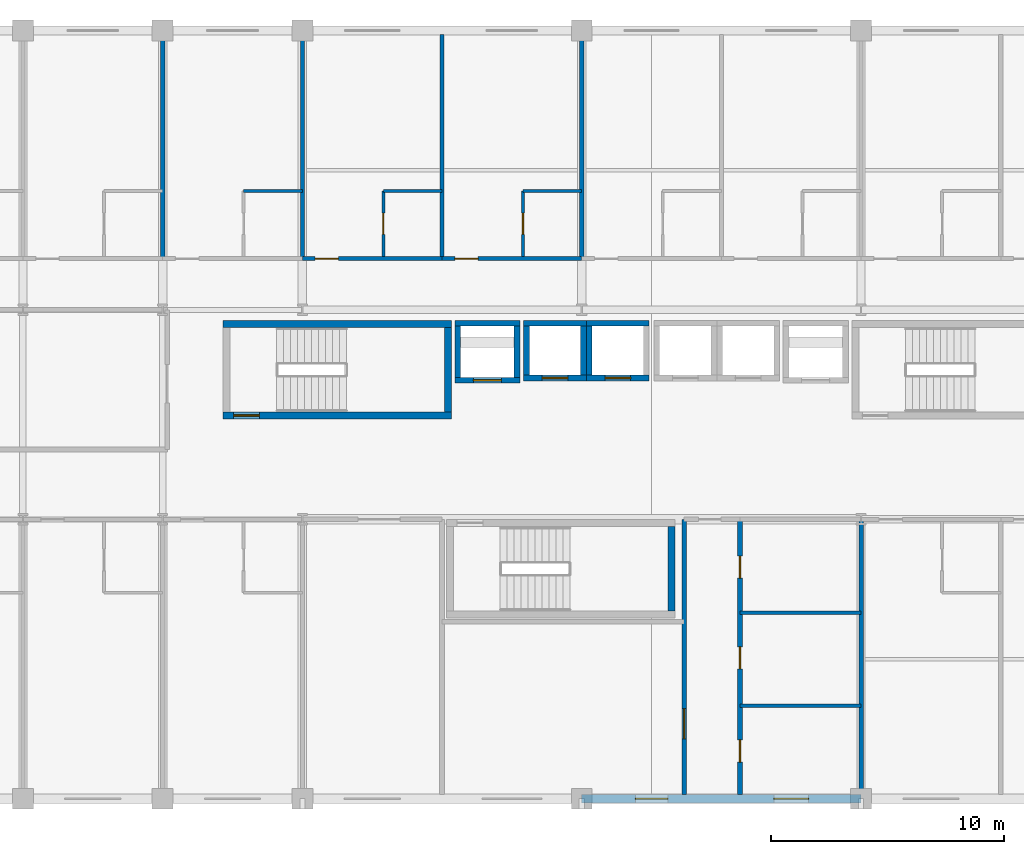
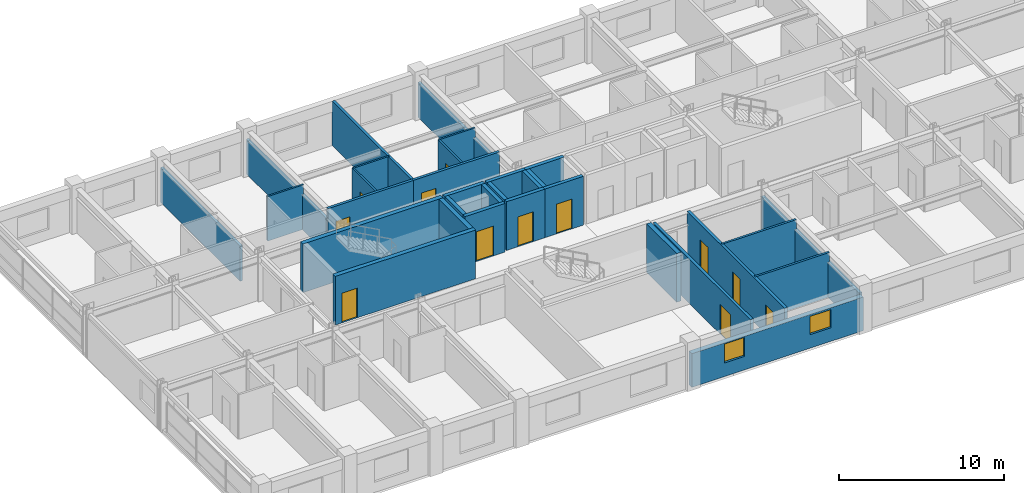
# One storey, part 17 of 22: 32 walls, 12 doors, 2 windows, 14 openings.
"""IFC4 building model written with IfcOpenShell, lengths in metres."""

from ifc_helpers import new_model, si_unit, direction, frame, frame_2d, origin, place, context, subcontext, project, spatial, rectangle, extrude, material, layer, layer_set, type_object, element, fill, save


model = new_model("IFC4")

# Units and contexts
model_context = context("Model", 3, precision=1e-05, world=origin(), true_north=direction((0.0, 1.0)))
body_context = subcontext(model_context, "Body", "Model", "MODEL_VIEW")
ifc_project = project(units=[si_unit("LENGTHUNIT", "METRE"), si_unit("AREAUNIT", "SQUARE_METRE"), si_unit("VOLUMEUNIT", "CUBIC_METRE"), si_unit("PLANEANGLEUNIT", "RADIAN"), si_unit("MASSUNIT", "GRAM", prefix="KILO")], contexts=[model_context])

# Site, building, storey
site_placement = place(None, origin())
site = spatial("IfcSite", under=ifc_project, at=site_placement, CompositionType="ELEMENT")
building_placement = place(site_placement, origin())
building = spatial("IfcBuilding", under=site, at=building_placement, Name="Kaldorvane Square Convention Centre", CompositionType="ELEMENT")
storey_placement = place(building_placement, frame((0.0, 0.0, 31.199996948242188)))
storey = spatial("IfcBuildingStorey", under=building, at=storey_placement, Name="L06", CompositionType="ELEMENT", Elevation=31.199996948242188)

# Wall
ifc_material_1 = material(Name="Fire-Rated Gypsum Board on Acoustic Steel Studs", Category="steel")
ifc_layer_1 = layer(ifc_material_1, 0.125)
ifc_layer_set_1 = layer_set([ifc_layer_1], Name="Fire-Rated Gypsum Board on Acoustic Steel Studs")
wall_type_1 = type_object("IfcWallType", Name="WL-BATH-125", PredefinedType="PARTITIONING", material=ifc_layer_set_1)
wall_1_placement = place(storey_placement, frame((39.47999572753906, 110.10000610351562, 0.0), z_axis=(0.0, 0.0, 1.0), x_axis=(1.0, 0.0, 0.0)))
element("IfcWall", 1, at=wall_1_placement, inside=storey, type_object=wall_type_1, Name="En-Suite 603 North Wall", PredefinedType="PARTITIONING", context=body_context, shape_type="SweptSolid", body=[
    extrude(rectangle(XDim=2.5200042724609375, YDim=0.125, at=frame_2d((1.260009765625, 0.0))), origin(), (0.0, 0.0, 1.0), 3.290008544921875),
])

# Wall, opening, door
wall_2_placement = place(storey_placement, frame((45.47999572753906, 107.28999328613281, 0.0), z_axis=(0.0, 0.0, 1.0), x_axis=(0.0, 1.0, 0.0)))
wall_2 = element("IfcWall", 2, at=wall_2_placement, inside=storey, type_object=wall_type_1, Name="En-Suite 604 West Wall", PredefinedType="PARTITIONING", context=body_context, shape_type="SweptSolid", body=[
    extrude(rectangle(XDim=2.8100128173828125, YDim=0.125, at=frame_2d((1.404998779296875, 0.0))), origin(), (0.0, 0.0, 1.0), 3.290008544921875),
])
opening_1_placement = place(wall_2_placement, frame((0.9499969482421875, 0.0, 0.0)))
opening_1 = element("IfcOpeningElement", 3, at=opening_1_placement, cuts=wall_2, Name="Opening ID-12", PredefinedType="OPENING", context=body_context, shape_type="SweptSolid", body=[
    extrude(rectangle(XDim=0.9199981689453125, YDim=2.100006103515625, at=frame_2d((0.459991455078125, 1.0500030517578125))), frame((0.0, 0.0774993896484375, 0.0), z_axis=(0.0, -1.0, 0.0), x_axis=(1.0, 0.0, 0.0)), (0.0, 0.0, 1.0), 0.154998779296875),
])
ifc_material_2 = material(Name="Architectural Solid-Core White Oak")
door_type_1 = type_object("IfcDoorType", Name="DR-BATH-0920X2100", OperationType="SINGLE_SWING_RIGHT", PredefinedType="DOOR", material=ifc_material_2)
door_1_placement = place(opening_1_placement, origin())
door_1 = element("IfcDoor", 4, at=door_1_placement, inside=storey, type_object=door_type_1, Name="En-Suite Bathroom 604 Door", OperationType="SINGLE_SWING_RIGHT", OverallHeight=2.100006103515625, OverallWidth=0.9199981689453125, PredefinedType="DOOR", context=body_context, shape_type="SweptSolid", body=[
    extrude(rectangle(XDim=0.9199981689453125, YDim=2.100006103515625, at=frame_2d((0.459991455078125, 1.0500030517578125))), frame((0.0, 0.024993896484375, 0.0), z_axis=(0.0, -1.0, 0.0), x_axis=(1.0, 0.0, 0.0)), (0.0, 0.0, 1.0), 0.0500030517578125),
])
fill(opening_1, door_1)

# Wall
wall_3_placement = place(storey_placement, frame((45.47999572753906, 110.10000610351562, 0.0), z_axis=(0.0, 0.0, 1.0), x_axis=(1.0, 0.0, 0.0)))
element("IfcWall", 5, at=wall_3_placement, inside=storey, type_object=wall_type_1, Name="En-Suite 604 North Wall", PredefinedType="PARTITIONING", context=body_context, shape_type="SweptSolid", body=[
    extrude(rectangle(XDim=2.5200042724609375, YDim=0.125, at=frame_2d((1.260009765625, 0.0))), origin(), (0.0, 0.0, 1.0), 3.290008544921875),
])

# Wall, opening, door
wall_4_placement = place(storey_placement, frame((51.47999572753906, 107.28999328613281, 0.0), z_axis=(0.0, 0.0, 1.0), x_axis=(0.0, 1.0, 0.0)))
wall_4 = element("IfcWall", 6, at=wall_4_placement, inside=storey, type_object=wall_type_1, Name="En-Suite 605 West Wall", PredefinedType="PARTITIONING", context=body_context, shape_type="SweptSolid", body=[
    extrude(rectangle(XDim=2.8100128173828125, YDim=0.125, at=frame_2d((1.404998779296875, 0.0))), origin(), (0.0, 0.0, 1.0), 3.290008544921875),
])
opening_2_placement = place(wall_4_placement, frame((0.9499969482421875, 0.0, 0.0)))
opening_2 = element("IfcOpeningElement", 7, at=opening_2_placement, cuts=wall_4, Name="Opening ID-12", PredefinedType="OPENING", context=body_context, shape_type="SweptSolid", body=[
    extrude(rectangle(XDim=0.9199981689453125, YDim=2.100006103515625, at=frame_2d((0.459991455078125, 1.0500030517578125))), frame((0.0, 0.0774993896484375, 0.0), z_axis=(0.0, -1.0, 0.0), x_axis=(1.0, 0.0, 0.0)), (0.0, 0.0, 1.0), 0.154998779296875),
])
door_2_placement = place(opening_2_placement, origin())
door_2 = element("IfcDoor", 8, at=door_2_placement, inside=storey, type_object=door_type_1, Name="En-Suite Bathroom 605 Door", OperationType="SINGLE_SWING_RIGHT", OverallHeight=2.100006103515625, OverallWidth=0.9199981689453125, PredefinedType="DOOR", context=body_context, shape_type="SweptSolid", body=[
    extrude(rectangle(XDim=0.9199981689453125, YDim=2.100006103515625, at=frame_2d((0.459991455078125, 1.0500030517578125))), frame((0.0, 0.024993896484375, 0.0), z_axis=(0.0, -1.0, 0.0), x_axis=(1.0, 0.0, 0.0)), (0.0, 0.0, 1.0), 0.0500030517578125),
])
fill(opening_2, door_2)

# Wall
wall_5_placement = place(storey_placement, frame((51.47999572753906, 110.10000610351562, 0.0), z_axis=(0.0, 0.0, 1.0), x_axis=(1.0, 0.0, 0.0)))
element("IfcWall", 9, at=wall_5_placement, inside=storey, type_object=wall_type_1, Name="En-Suite 605 North Wall", PredefinedType="PARTITIONING", context=body_context, shape_type="SweptSolid", body=[
    extrude(rectangle(XDim=2.5200042724609375, YDim=0.125, at=frame_2d((1.260009765625, 0.0))), origin(), (0.0, 0.0, 1.0), 3.290008544921875),
])

# Wall, opening, door
ifc_layer_2 = layer(ifc_material_1, 0.1999969482421875)
ifc_layer_set_2 = layer_set([ifc_layer_2], Name="Fire-Rated Gypsum Board on Acoustic Steel Studs")
wall_type_2 = type_object("IfcWallType", Name="WL-CORR-200", PredefinedType="PARTITIONING", material=ifc_layer_set_2)
wall_6_placement = place(storey_placement, frame((58.399993896484375, 84.17500305175781, 0.0), z_axis=(0.0, 0.0, 1.0), x_axis=(0.0, 1.0, 0.0)))
wall_6 = element("IfcWall", 10, at=wall_6_placement, inside=storey, type_object=wall_type_2, Name="Restroom Vestibule West Wall (L06)", PredefinedType="PARTITIONING", context=body_context, shape_type="SweptSolid", body=[
    extrude(rectangle(XDim=11.824996948242188, YDim=0.1999969482421875, at=frame_2d((5.912506103515625, 0.0))), origin(), (0.0, 0.0, 1.0), 3.290008544921875),
])
opening_3_placement = place(wall_6_placement, frame((2.399993896484375, 0.0, 0.0)))
opening_3 = element("IfcOpeningElement", 11, at=opening_3_placement, cuts=wall_6, Name="Opening ID-09", PredefinedType="OPENING", context=body_context, shape_type="SweptSolid", body=[
    extrude(rectangle(XDim=1.3000030517578125, YDim=2.1999969482421875, at=frame_2d((0.649993896484375, 1.100006103515625))), frame((0.0, 0.114990234375, 0.0), z_axis=(0.0, -1.0, 0.0), x_axis=(1.0, 0.0, 0.0)), (0.0, 0.0, 1.0), 0.2299957275390625),
])
ifc_material_3 = material(Name="Insulated Hollow Metal Steel", Category="steel")
door_type_2 = type_object("IfcDoorType", Name="DR-SVC-1300X2200", OperationType="DOUBLE_DOOR_SINGLE_SWING", PredefinedType="DOOR", material=ifc_material_3)
door_3_placement = place(opening_3_placement, origin())
door_3 = element("IfcDoor", 12, at=door_3_placement, inside=storey, type_object=door_type_2, Name="Housekeeping and Linen Room (L06) Door", OperationType="DOUBLE_DOOR_SINGLE_SWING", OverallHeight=2.1999969482421875, OverallWidth=1.3000030517578125, PredefinedType="DOOR", context=body_context, shape_type="SweptSolid", body=[
    extrude(rectangle(XDim=1.3000030517578125, YDim=2.1999969482421875, at=frame_2d((0.649993896484375, 1.100006103515625))), frame((0.0, 0.024993896484375, 0.0), z_axis=(0.0, -1.0, 0.0), x_axis=(1.0, 0.0, 0.0)), (0.0, 0.0, 1.0), 0.0500030517578125),
])
fill(opening_3, door_3)

# Wall, openings, doors
wall_7_placement = place(storey_placement, frame((60.80000305175781, 84.17500305175781, 0.0), z_axis=(0.0, 0.0, 1.0), x_axis=(0.0, 1.0, 0.0)))
wall_7 = element("IfcWall", 13, at=wall_7_placement, inside=storey, type_object=wall_type_2, Name="Restroom Vestibule East Wall (L06)", PredefinedType="PARTITIONING", context=body_context, shape_type="SweptSolid", body=[
    extrude(rectangle(XDim=11.824996948242188, YDim=0.1999969482421875, at=frame_2d((5.912506103515625, 0.0))), origin(), (0.0, 0.0, 1.0), 3.290008544921875),
])
opening_4_placement = place(wall_7_placement, frame((1.399993896484375, 0.0, 0.0)))
opening_4 = element("IfcOpeningElement", 14, at=opening_4_placement, cuts=wall_7, Name="Opening ID-13", PredefinedType="OPENING", context=body_context, shape_type="SweptSolid", body=[
    extrude(rectangle(XDim=0.9499969482421875, YDim=2.149993896484375, at=frame_2d((0.475006103515625, 1.0749969482421875))), frame((0.0, 0.114990234375, 0.0), z_axis=(0.0, -1.0, 0.0), x_axis=(1.0, 0.0, 0.0)), (0.0, 0.0, 1.0), 0.2299957275390625),
])
opening_5_placement = place(wall_7_placement, frame((5.399993896484375, 0.0, 0.0)))
opening_5 = element("IfcOpeningElement", 15, at=opening_5_placement, cuts=wall_7, Name="Opening ID-13", PredefinedType="OPENING", context=body_context, shape_type="SweptSolid", body=[
    extrude(rectangle(XDim=0.9499969482421875, YDim=2.149993896484375, at=frame_2d((0.475006103515625, 1.0749969482421875))), frame((0.0, 0.114990234375, 0.0), z_axis=(0.0, -1.0, 0.0), x_axis=(1.0, 0.0, 0.0)), (0.0, 0.0, 1.0), 0.2299957275390625),
])
opening_6_placement = place(wall_7_placement, frame((9.300003051757812, 0.0, 0.0)))
opening_6 = element("IfcOpeningElement", 16, at=opening_6_placement, cuts=wall_7, Name="Opening ID-13", PredefinedType="OPENING", context=body_context, shape_type="SweptSolid", body=[
    extrude(rectangle(XDim=0.9499969482421875, YDim=2.149993896484375, at=frame_2d((0.475006103515625, 1.0749969482421875))), frame((0.0, 0.114990234375, 0.0), z_axis=(0.0, -1.0, 0.0), x_axis=(1.0, 0.0, 0.0)), (0.0, 0.0, 1.0), 0.2299957275390625),
])
door_type_3 = type_object("IfcDoorType", Name="DR-WC-0950X2150", OperationType="SINGLE_SWING_LEFT", PredefinedType="DOOR", material=ifc_material_2)
door_4_placement = place(opening_4_placement, origin())
door_4 = element("IfcDoor", 17, at=door_4_placement, inside=storey, type_object=door_type_3, Name="Accessible Restroom Door (L06)", OperationType="SINGLE_SWING_LEFT", OverallHeight=2.149993896484375, OverallWidth=0.9499969482421875, PredefinedType="DOOR", context=body_context, shape_type="SweptSolid", body=[
    extrude(rectangle(XDim=0.9499969482421875, YDim=2.149993896484375, at=frame_2d((0.475006103515625, 1.0749969482421875))), frame((0.0, 0.024993896484375, 0.0), z_axis=(0.0, -1.0, 0.0), x_axis=(1.0, 0.0, 0.0)), (0.0, 0.0, 1.0), 0.0500030517578125),
])
fill(opening_4, door_4)
door_5_placement = place(opening_5_placement, origin())
door_5 = element("IfcDoor", 18, at=door_5_placement, inside=storey, type_object=door_type_3, Name="Men's Restroom Door (L06)", OperationType="SINGLE_SWING_LEFT", OverallHeight=2.149993896484375, OverallWidth=0.9499969482421875, PredefinedType="DOOR", context=body_context, shape_type="SweptSolid", body=[
    extrude(rectangle(XDim=0.9499969482421875, YDim=2.149993896484375, at=frame_2d((0.475006103515625, 1.0749969482421875))), frame((0.0, 0.024993896484375, 0.0), z_axis=(0.0, -1.0, 0.0), x_axis=(1.0, 0.0, 0.0)), (0.0, 0.0, 1.0), 0.0500030517578125),
])
fill(opening_5, door_5)
door_6_placement = place(opening_6_placement, origin())
door_6 = element("IfcDoor", 19, at=door_6_placement, inside=storey, type_object=door_type_3, Name="Women's Restroom Door (L06)", OperationType="SINGLE_SWING_LEFT", OverallHeight=2.149993896484375, OverallWidth=0.9499969482421875, PredefinedType="DOOR", context=body_context, shape_type="SweptSolid", body=[
    extrude(rectangle(XDim=0.9499969482421875, YDim=2.149993896484375, at=frame_2d((0.475006103515625, 1.0749969482421875))), frame((0.0, 0.024993896484375, 0.0), z_axis=(0.0, -1.0, 0.0), x_axis=(1.0, 0.0, 0.0)), (0.0, 0.0, 1.0), 0.0500030517578125),
])
fill(opening_6, door_6)

# Wall
wall_8_placement = place(storey_placement, frame((66.0, 84.17500305175781, 0.0), z_axis=(0.0, 0.0, 1.0), x_axis=(0.0, 1.0, 0.0)))
element("IfcWall", 20, at=wall_8_placement, inside=storey, type_object=wall_type_2, Name="Restroom East Wall (L06)", PredefinedType="PARTITIONING", context=body_context, shape_type="SweptSolid", body=[
    extrude(rectangle(XDim=11.824996948242188, YDim=0.1999969482421875, at=frame_2d((5.912506103515625, 0.0))), origin(), (0.0, 0.0, 1.0), 2.589996337890625),
])

# Wall, openings, windows
ifc_material_4 = material(Name="Concrete f'c = 42 MPa (Normalweight)", Category="concrete")
ifc_layer_3 = layer(ifc_material_4, 0.350006103515625)
ifc_layer_set_3 = layer_set([ifc_layer_3], Name="Concrete f'c = 42 MPa (Normalweight)")
wall_type_3 = type_object("IfcWallType", Name="WL-EXT-350", PredefinedType="STANDARD", material=ifc_layer_set_3)
wall_9_placement = place(storey_placement, frame((54.0, 84.0, 0.0), z_axis=(0.0, 0.0, 1.0), x_axis=(1.0, 0.0, 0.0)))
wall_9 = element("IfcWall", 21, at=wall_9_placement, inside=storey, type_object=wall_type_3, Name="Hotel S Brutalist Facade Wall (L06)", PredefinedType="STANDARD", context=body_context, shape_type="SweptSolid", body=[
    extrude(rectangle(XDim=12.0, YDim=0.350006103515625, at=frame_2d((6.0, 0.0))), origin(), (0.0, 0.0, 1.0), 2.4860076904296875),
])
opening_7_placement = place(wall_9_placement, frame((2.3000030517578125, 0.0, 1.0)))
opening_7 = element("IfcOpeningElement", 22, at=opening_7_placement, cuts=wall_9, Name="Opening W-13", PredefinedType="OPENING", context=body_context, shape_type="SweptSolid", body=[
    extrude(rectangle(XDim=1.399993896484375, YDim=1.399993896484375, at=frame_2d((0.6999969482421875, 0.6999969482421875))), frame((0.0, 0.19000244140625, 0.0), z_axis=(0.0, -1.0, 0.0), x_axis=(1.0, 0.0, 0.0)), (0.0, 0.0, 1.0), 0.3800048828125),
])
opening_8_placement = place(wall_9_placement, frame((8.25, 0.0, 1.0)))
opening_8 = element("IfcOpeningElement", 23, at=opening_8_placement, cuts=wall_9, Name="Opening W-14", PredefinedType="OPENING", context=body_context, shape_type="SweptSolid", body=[
    extrude(rectangle(XDim=1.5, YDim=1.350006103515625, at=frame_2d((0.75, 0.6750030517578125))), frame((0.0, 0.19000244140625, 0.0), z_axis=(0.0, -1.0, 0.0), x_axis=(1.0, 0.0, 0.0)), (0.0, 0.0, 1.0), 0.3800048828125),
])
ifc_material_5 = material(Name="Anodized Aluminum and Low-E Insulated Glazing", Category="aluminium")
window_type_1 = type_object("IfcWindowType", Name="WN-HTL-1400X1400", PartitioningType="SINGLE_PANEL", PredefinedType="WINDOW", material=ifc_material_5)
window_1_placement = place(opening_7_placement, origin())
window_1 = element("IfcWindow", 24, at=window_1_placement, inside=storey, type_object=window_type_1, Name="Hotel S Window (L06)", OverallHeight=1.399993896484375, OverallWidth=1.399993896484375, PartitioningType="SINGLE_PANEL", PredefinedType="WINDOW", context=body_context, shape_type="SweptSolid", body=[
    extrude(rectangle(XDim=1.399993896484375, YDim=1.399993896484375, at=frame_2d((0.6999969482421875, 0.6999969482421875))), frame((0.0, 0.029998779296875, 0.0), z_axis=(0.0, -1.0, 0.0), x_axis=(1.0, 0.0, 0.0)), (0.0, 0.0, 1.0), 0.05999755859375),
])
fill(opening_7, window_1)
window_type_2 = type_object("IfcWindowType", Name="WN-HTL-1500X1350", PartitioningType="SINGLE_PANEL", PredefinedType="WINDOW", material=ifc_material_5)
window_2_placement = place(opening_8_placement, origin())
window_2 = element("IfcWindow", 25, at=window_2_placement, inside=storey, type_object=window_type_2, Name="Hotel S Window (L06)", OverallHeight=1.350006103515625, OverallWidth=1.5, PartitioningType="SINGLE_PANEL", PredefinedType="WINDOW", context=body_context, shape_type="SweptSolid", body=[
    extrude(rectangle(XDim=1.5, YDim=1.350006103515625, at=frame_2d((0.75, 0.6750030517578125))), frame((0.0, 0.029998779296875, 0.0), z_axis=(0.0, -1.0, 0.0), x_axis=(1.0, 0.0, 0.0)), (0.0, 0.0, 1.0), 0.05999755859375),
])
fill(opening_8, window_2)

# Walls
ifc_layer_4 = layer(ifc_material_1, 0.149993896484375)
ifc_layer_set_4 = layer_set([ifc_layer_4], Name="Fire-Rated Gypsum Board on Acoustic Steel Studs")
wall_type_4 = type_object("IfcWallType", Name="WL-PART-150", PredefinedType="PARTITIONING", material=ifc_layer_set_4)
for number, where, z_axis, x_axis, name in (
    (26, (60.80000305175781, 88.0, 0.0), (0.0, 0.0, 1.0), (1.0, 0.0, 0.0), "Restroom Partition 1 (L06)"),
    (27, (60.80000305175781, 92.0, 0.0), (0.0, 0.0, 1.0), (1.0, 0.0, 0.0), "Restroom Partition 2 (L06)"),
):
    element("IfcWall", number, at=place(storey_placement, frame(where, z_axis=z_axis, x_axis=x_axis)), inside=storey, type_object=wall_type_4, Name=name, PredefinedType="PARTITIONING", context=body_context, shape_type="SweptSolid", body=[
        extrude(rectangle(XDim=5.1999969482421875, YDim=0.149993896484375, at=frame_2d((2.600006103515625, 0.0))), origin(), (0.0, 0.0, 1.0), 3.290008544921875),
    ])

# Wall, opening, door
ifc_material_6 = material(Name="Concrete f'c = 55 MPa (Normalweight)", Category="concrete")
ifc_layer_5 = layer(ifc_material_6, 0.3000030517578125)
ifc_layer_set_5 = layer_set([ifc_layer_5], Name="Concrete f'c = 55 MPa (Normalweight)")
wall_type_5 = type_object("IfcWallType", Name="WL-SHAFT-300", PredefinedType="SHEAR", material=ifc_layer_set_5)
wall_10_placement = place(storey_placement, frame((38.600006103515625, 100.46000671386719, 0.0), z_axis=(0.0, 0.0, 1.0), x_axis=(1.0, 0.0, 0.0)))
wall_10 = element("IfcWall", 28, at=wall_10_placement, inside=storey, type_object=wall_type_5, Name="Core Enclosure Wall stair:ST-T1-S (L06)", PredefinedType="SHEAR", context=body_context, shape_type="SweptSolid", body=[
    extrude(rectangle(XDim=9.79998779296875, YDim=0.3000030517578125, at=frame_2d((4.899993896484375, 0.0))), origin(), (0.0, 0.0, 1.0), 3.600006103515625),
])
opening_9_placement = place(wall_10_placement, frame((0.4499969482421875, 0.0, 0.0)))
opening_9 = element("IfcOpeningElement", 29, at=opening_9_placement, cuts=wall_10, Name="Opening FD90-S1", PredefinedType="OPENING", context=body_context, shape_type="SweptSolid", body=[
    extrude(rectangle(XDim=1.100006103515625, YDim=2.1999969482421875, at=frame_2d((0.5500030517578125, 1.100006103515625))), frame((0.0, 0.165008544921875, 0.0), z_axis=(0.0, -1.0, 0.0), x_axis=(1.0, 0.0, 0.0)), (0.0, 0.0, 1.0), 0.3300018310546875),
])
ifc_material_7 = material(Name="Fire-Rated Hollow Metal Steel", Category="steel")
door_type_4 = type_object("IfcDoorType", Name="DR-STAIR-1100", OperationType="SINGLE_SWING_RIGHT", PredefinedType="DOOR", material=ifc_material_7)
door_7_placement = place(opening_9_placement, origin())
door_7 = element("IfcDoor", 30, at=door_7_placement, inside=storey, type_object=door_type_4, Name="Tower Exit Stair T1 Fire Door (L06)", OperationType="SINGLE_SWING_RIGHT", OverallHeight=2.1999969482421875, OverallWidth=1.100006103515625, PredefinedType="DOOR", context=body_context, shape_type="SweptSolid", body=[
    extrude(rectangle(XDim=1.100006103515625, YDim=2.1999969482421875, at=frame_2d((0.5500030517578125, 1.100006103515625))), frame((0.0, 0.024993896484375, 0.0), z_axis=(0.0, -1.0, 0.0), x_axis=(1.0, 0.0, 0.0)), (0.0, 0.0, 1.0), 0.0500030517578125),
])
fill(opening_9, door_7)

# Walls
wall_11_placement = place(storey_placement, frame((48.399993896484375, 104.39999389648438, 0.0), z_axis=(0.0, 0.0, 1.0), x_axis=(-1.0, 0.0, 0.0)))
element("IfcWall", 31, at=wall_11_placement, inside=storey, type_object=wall_type_5, Name="Core Enclosure Wall stair:ST-T1-N (L06)", PredefinedType="SHEAR", context=body_context, shape_type="SweptSolid", body=[
    extrude(rectangle(XDim=9.79998779296875, YDim=0.3000030517578125, at=frame_2d((4.899993896484375, 0.0))), origin(), (0.0, 0.0, 1.0), 3.600006103515625),
])
for number, where, z_axis, x_axis, name in (
    (32, (48.25, 100.61000061035156, 0.0), (0.0, 0.0, 1.0), (0.0, 1.0, 0.0), "Core Enclosure Wall stair:ST-T1-E (L06)"),
    (33, (57.850006103515625, 92.05999755859375, 0.0), (0.0, 0.0, 1.0), (0.0, 1.0, 0.0), "Core Enclosure Wall stair:ST-T3-E (L06)"),
):
    element("IfcWall", number, at=place(storey_placement, frame(where, z_axis=z_axis, x_axis=x_axis)), inside=storey, type_object=wall_type_5, Name=name, PredefinedType="SHEAR", context=body_context, shape_type="SweptSolid", body=[
        extrude(rectangle(XDim=3.6399993896484375, YDim=0.3000030517578125, at=frame_2d((1.82000732421875, 0.0))), origin(), (0.0, 0.0, 1.0), 3.600006103515625),
    ])

# Wall, opening, door
wall_12_placement = place(storey_placement, frame((48.55000305175781, 101.97500610351562, 0.0), z_axis=(0.0, 0.0, 1.0), x_axis=(1.0, 0.0, 0.0)))
wall_12 = element("IfcWall", 34, at=wall_12_placement, inside=storey, type_object=wall_type_5, Name="Core Enclosure Wall lift:FSAE-01-S (L06)", PredefinedType="SHEAR", context=body_context, shape_type="SweptSolid", body=[
    extrude(rectangle(XDim=2.8000030517578125, YDim=0.25, at=frame_2d((1.399993896484375, 0.0))), origin(), (0.0, 0.0, 1.0), 3.600006103515625),
])
opening_10_placement = place(wall_12_placement, frame((0.8000030517578125, 0.0, 0.0)))
opening_10 = element("IfcOpeningElement", 35, at=opening_10_placement, cuts=wall_12, Name="Opening LD-02", PredefinedType="OPENING", context=body_context, shape_type="SweptSolid", body=[
    extrude(rectangle(XDim=1.1999969482421875, YDim=2.1999969482421875, at=frame_2d((0.600006103515625, 1.100006103515625))), frame((0.0, 0.1399993896484375, 0.0), z_axis=(0.0, -1.0, 0.0), x_axis=(1.0, 0.0, 0.0)), (0.0, 0.0, 1.0), 0.279998779296875),
])
ifc_material_8 = material(Name="Stainless Steel Elevator Door Assembly", Category="steel")
door_type_5 = type_object("IfcDoorType", Name="DR-LIFT-1200", OperationType="DOUBLE_DOOR_SLIDING", PredefinedType="DOOR", material=ifc_material_8)
door_8_placement = place(opening_10_placement, origin())
door_8 = element("IfcDoor", 36, at=door_8_placement, inside=storey, type_object=door_type_5, Name="Elevator Landing Door FSAE-01 (L06)", OperationType="DOUBLE_DOOR_SLIDING", OverallHeight=2.1999969482421875, OverallWidth=1.1999969482421875, PredefinedType="DOOR", context=body_context, shape_type="SweptSolid", body=[
    extrude(rectangle(XDim=1.1999969482421875, YDim=2.1999969482421875, at=frame_2d((0.600006103515625, 1.100006103515625))), frame((0.0, 0.024993896484375, 0.0), z_axis=(0.0, -1.0, 0.0), x_axis=(1.0, 0.0, 0.0)), (0.0, 0.0, 1.0), 0.0500030517578125),
])
fill(opening_10, door_8)

# Walls
wall_13_placement = place(storey_placement, frame((51.350006103515625, 104.42500305175781, 0.0), z_axis=(0.0, 0.0, 1.0), x_axis=(-1.0, 0.0, 0.0)))
element("IfcWall", 37, at=wall_13_placement, inside=storey, type_object=wall_type_5, Name="Core Enclosure Wall lift:FSAE-01-N (L06)", PredefinedType="SHEAR", context=body_context, shape_type="SweptSolid", body=[
    extrude(rectangle(XDim=2.8000030517578125, YDim=0.25, at=frame_2d((1.399993896484375, 0.0))), origin(), (0.0, 0.0, 1.0), 3.600006103515625),
])
for number, where, z_axis, x_axis, name in (
    (38, (48.67500305175781, 104.30000305175781, 0.0), (0.0, 0.0, 1.0), (0.0, -1.0, 0.0), "Core Enclosure Wall lift:FSAE-01-W (L06)"),
    (39, (51.225006103515625, 102.10000610351562, 0.0), (0.0, 0.0, 1.0), (0.0, 1.0, 0.0), "Core Enclosure Wall lift:FSAE-01-E (L06)"),
):
    element("IfcWall", number, at=place(storey_placement, frame(where, z_axis=z_axis, x_axis=x_axis)), inside=storey, type_object=wall_type_5, Name=name, PredefinedType="SHEAR", context=body_context, shape_type="SweptSolid", body=[
        extrude(rectangle(XDim=2.1999969482421875, YDim=0.25, at=frame_2d((1.100006103515625, 0.0))), origin(), (0.0, 0.0, 1.0), 3.600006103515625),
    ])

# Wall, opening, door
wall_14_placement = place(storey_placement, frame((51.5, 102.07499694824219, 0.0), z_axis=(0.0, 0.0, 1.0), x_axis=(1.0, 0.0, 0.0)))
wall_14 = element("IfcWall", 40, at=wall_14_placement, inside=storey, type_object=wall_type_5, Name="Core Enclosure Wall lift:EL-P1-S (L06)", PredefinedType="SHEAR", context=body_context, shape_type="SweptSolid", body=[
    extrude(rectangle(XDim=2.6999969482421875, YDim=0.25, at=frame_2d((1.350006103515625, 0.0))), origin(), (0.0, 0.0, 1.0), 3.600006103515625),
])
opening_11_placement = place(wall_14_placement, frame((0.8000030517578125, 0.0, 0.0)))
opening_11 = element("IfcOpeningElement", 41, at=opening_11_placement, cuts=wall_14, Name="Opening LD-01", PredefinedType="OPENING", context=body_context, shape_type="SweptSolid", body=[
    extrude(rectangle(XDim=1.100006103515625, YDim=2.1999969482421875, at=frame_2d((0.5500030517578125, 1.100006103515625))), frame((0.0, 0.1399993896484375, 0.0), z_axis=(0.0, -1.0, 0.0), x_axis=(1.0, 0.0, 0.0)), (0.0, 0.0, 1.0), 0.279998779296875),
])
door_type_6 = type_object("IfcDoorType", Name="DR-LIFT-1100", OperationType="DOUBLE_DOOR_SLIDING", PredefinedType="DOOR", material=ifc_material_8)
door_9_placement = place(opening_11_placement, origin())
door_9 = element("IfcDoor", 42, at=door_9_placement, inside=storey, type_object=door_type_6, Name="Elevator Landing Door EL-P1 (L06)", OperationType="DOUBLE_DOOR_SLIDING", OverallHeight=2.1999969482421875, OverallWidth=1.100006103515625, PredefinedType="DOOR", context=body_context, shape_type="SweptSolid", body=[
    extrude(rectangle(XDim=1.100006103515625, YDim=2.1999969482421875, at=frame_2d((0.5500030517578125, 1.100006103515625))), frame((0.0, 0.024993896484375, 0.0), z_axis=(0.0, -1.0, 0.0), x_axis=(1.0, 0.0, 0.0)), (0.0, 0.0, 1.0), 0.0500030517578125),
])
fill(opening_11, door_9)

# Walls
wall_15_placement = place(storey_placement, frame((54.19999694824219, 104.42500305175781, 0.0), z_axis=(0.0, 0.0, 1.0), x_axis=(-1.0, 0.0, 0.0)))
element("IfcWall", 43, at=wall_15_placement, inside=storey, type_object=wall_type_5, Name="Core Enclosure Wall lift:EL-P1-N (L06)", PredefinedType="SHEAR", context=body_context, shape_type="SweptSolid", body=[
    extrude(rectangle(XDim=2.6999969482421875, YDim=0.25, at=frame_2d((1.350006103515625, 0.0))), origin(), (0.0, 0.0, 1.0), 3.600006103515625),
])
for number, where, z_axis, x_axis, name in (
    (44, (51.625, 104.30000305175781, 0.0), (0.0, 0.0, 1.0), (0.0, -1.0, 0.0), "Core Enclosure Wall lift:EL-P1-W (L06)"),
    (45, (54.07499694824219, 102.19999694824219, 0.0), (0.0, 0.0, 1.0), (0.0, 1.0, 0.0), "Core Enclosure Wall lift:EL-P1-E (L06)"),
):
    element("IfcWall", number, at=place(storey_placement, frame(where, z_axis=z_axis, x_axis=x_axis)), inside=storey, type_object=wall_type_5, Name=name, PredefinedType="SHEAR", context=body_context, shape_type="SweptSolid", body=[
        extrude(rectangle(XDim=2.100006103515625, YDim=0.25, at=frame_2d((1.0500030517578125, 0.0))), origin(), (0.0, 0.0, 1.0), 3.600006103515625),
    ])

# Wall, opening, door
wall_16_placement = place(storey_placement, frame((54.19999694824219, 102.07499694824219, 0.0), z_axis=(0.0, 0.0, 1.0), x_axis=(1.0, 0.0, 0.0)))
wall_16 = element("IfcWall", 46, at=wall_16_placement, inside=storey, type_object=wall_type_5, Name="Core Enclosure Wall lift:EL-P2-S (L06)", PredefinedType="SHEAR", context=body_context, shape_type="SweptSolid", body=[
    extrude(rectangle(XDim=2.6999969482421875, YDim=0.25, at=frame_2d((1.350006103515625, 0.0))), origin(), (0.0, 0.0, 1.0), 3.600006103515625),
])
opening_12_placement = place(wall_16_placement, frame((0.8000030517578125, 0.0, 0.0)))
opening_12 = element("IfcOpeningElement", 47, at=opening_12_placement, cuts=wall_16, Name="Opening LD-01", PredefinedType="OPENING", context=body_context, shape_type="SweptSolid", body=[
    extrude(rectangle(XDim=1.100006103515625, YDim=2.1999969482421875, at=frame_2d((0.5500030517578125, 1.100006103515625))), frame((0.0, 0.1399993896484375, 0.0), z_axis=(0.0, -1.0, 0.0), x_axis=(1.0, 0.0, 0.0)), (0.0, 0.0, 1.0), 0.279998779296875),
])
door_10_placement = place(opening_12_placement, origin())
door_10 = element("IfcDoor", 48, at=door_10_placement, inside=storey, type_object=door_type_6, Name="Elevator Landing Door EL-P2 (L06)", OperationType="DOUBLE_DOOR_SLIDING", OverallHeight=2.1999969482421875, OverallWidth=1.100006103515625, PredefinedType="DOOR", context=body_context, shape_type="SweptSolid", body=[
    extrude(rectangle(XDim=1.100006103515625, YDim=2.1999969482421875, at=frame_2d((0.5500030517578125, 1.100006103515625))), frame((0.0, 0.024993896484375, 0.0), z_axis=(0.0, -1.0, 0.0), x_axis=(1.0, 0.0, 0.0)), (0.0, 0.0, 1.0), 0.0500030517578125),
])
fill(opening_12, door_10)

# Walls
wall_17_placement = place(storey_placement, frame((56.899993896484375, 104.42500305175781, 0.0), z_axis=(0.0, 0.0, 1.0), x_axis=(-1.0, 0.0, 0.0)))
element("IfcWall", 49, at=wall_17_placement, inside=storey, type_object=wall_type_5, Name="Core Enclosure Wall lift:EL-P2-N (L06)", PredefinedType="SHEAR", context=body_context, shape_type="SweptSolid", body=[
    extrude(rectangle(XDim=2.6999969482421875, YDim=0.25, at=frame_2d((1.350006103515625, 0.0))), origin(), (0.0, 0.0, 1.0), 3.600006103515625),
])
wall_18_placement = place(storey_placement, frame((54.32499694824219, 104.30000305175781, 0.0), z_axis=(0.0, 0.0, 1.0), x_axis=(0.0, -1.0, 0.0)))
element("IfcWall", 50, at=wall_18_placement, inside=storey, type_object=wall_type_5, Name="Core Enclosure Wall lift:EL-P2-W (L06)", PredefinedType="SHEAR", context=body_context, shape_type="SweptSolid", body=[
    extrude(rectangle(XDim=2.100006103515625, YDim=0.25, at=frame_2d((1.0500030517578125, 0.0))), origin(), (0.0, 0.0, 1.0), 3.600006103515625),
])
ifc_layer_6 = layer(ifc_material_1, 0.17999267578125)
ifc_layer_set_6 = layer_set([ifc_layer_6], Name="Fire-Rated Gypsum Board on Acoustic Steel Studs")
wall_type_6 = type_object("IfcWallType", Name="WL-UNIT-180", PredefinedType="PARTITIONING", material=ifc_layer_set_6)
for number, where, z_axis, x_axis, name in (
    (51, (36.0, 107.19999694824219, 0.0), (0.0, 0.0, 1.0), (0.0, 1.0, 0.0), "Guestroom Demising Wall 602"),
    (52, (42.0, 107.19999694824219, 0.0), (0.0, 0.0, 1.0), (0.0, 1.0, 0.0), "Guestroom Demising Wall 603"),
):
    element("IfcWall", number, at=place(storey_placement, frame(where, z_axis=z_axis, x_axis=x_axis)), inside=storey, type_object=wall_type_6, Name=name, PredefinedType="PARTITIONING", context=body_context, shape_type="SweptSolid", body=[
        extrude(rectangle(XDim=9.625, YDim=0.17999267578125, at=frame_2d((4.8125, 0.0))), origin(), (0.0, 0.0, 1.0), 2.589996337890625),
    ])

# Wall, opening, door
wall_19_placement = place(storey_placement, frame((42.0, 107.19999694824219, 0.0), z_axis=(0.0, 0.0, 1.0), x_axis=(1.0, 0.0, 0.0)))
wall_19 = element("IfcWall", 53, at=wall_19_placement, inside=storey, type_object=wall_type_6, Name="Hotel Guest Room 604 Corridor Wall", PredefinedType="PARTITIONING", context=body_context, shape_type="SweptSolid", body=[
    extrude(rectangle(XDim=6.0, YDim=0.17999267578125, at=frame_2d((3.0, 0.0))), origin(), (0.0, 0.0, 1.0), 3.290008544921875),
])
opening_13_placement = place(wall_19_placement, frame((0.5500030517578125, 0.0, 0.0)))
opening_13 = element("IfcOpeningElement", 54, at=opening_13_placement, cuts=wall_19, Name="Opening ID-10", PredefinedType="OPENING", context=body_context, shape_type="SweptSolid", body=[
    extrude(rectangle(XDim=1.0, YDim=2.149993896484375, at=frame_2d((0.5, 1.0749969482421875))), frame((0.0, 0.1049957275390625, 0.0), z_axis=(0.0, -1.0, 0.0), x_axis=(1.0, 0.0, 0.0)), (0.0, 0.0, 1.0), 0.209991455078125),
])
door_type_7 = type_object("IfcDoorType", Name="DR-GUEST-1000X2150", OperationType="SINGLE_SWING_LEFT", PredefinedType="DOOR", material=ifc_material_2)
door_11_placement = place(opening_13_placement, origin())
door_11 = element("IfcDoor", 55, at=door_11_placement, inside=storey, type_object=door_type_7, Name="Hotel Guest Room 604 Entry Door", OperationType="SINGLE_SWING_LEFT", OverallHeight=2.149993896484375, OverallWidth=1.0, PredefinedType="DOOR", context=body_context, shape_type="SweptSolid", body=[
    extrude(rectangle(XDim=1.0, YDim=2.149993896484375, at=frame_2d((0.5, 1.0749969482421875))), frame((0.0, 0.024993896484375, 0.0), z_axis=(0.0, -1.0, 0.0), x_axis=(1.0, 0.0, 0.0)), (0.0, 0.0, 1.0), 0.0500030517578125),
])
fill(opening_13, door_11)

# Wall
wall_20_placement = place(storey_placement, frame((48.0, 107.19999694824219, 0.0), z_axis=(0.0, 0.0, 1.0), x_axis=(0.0, 1.0, 0.0)))
element("IfcWall", 56, at=wall_20_placement, inside=storey, type_object=wall_type_6, Name="Guestroom Demising Wall 604", PredefinedType="PARTITIONING", context=body_context, shape_type="SweptSolid", body=[
    extrude(rectangle(XDim=9.625, YDim=0.17999267578125, at=frame_2d((4.8125, 0.0))), origin(), (0.0, 0.0, 1.0), 3.290008544921875),
])

# Wall, opening, door
wall_21_placement = place(storey_placement, frame((48.0, 107.19999694824219, 0.0), z_axis=(0.0, 0.0, 1.0), x_axis=(1.0, 0.0, 0.0)))
wall_21 = element("IfcWall", 57, at=wall_21_placement, inside=storey, type_object=wall_type_6, Name="Hotel Guest Room 605 Corridor Wall", PredefinedType="PARTITIONING", context=body_context, shape_type="SweptSolid", body=[
    extrude(rectangle(XDim=6.0, YDim=0.17999267578125, at=frame_2d((3.0, 0.0))), origin(), (0.0, 0.0, 1.0), 3.290008544921875),
])
opening_14_placement = place(wall_21_placement, frame((0.5500030517578125, 0.0, 0.0)))
opening_14 = element("IfcOpeningElement", 58, at=opening_14_placement, cuts=wall_21, Name="Opening ID-10", PredefinedType="OPENING", context=body_context, shape_type="SweptSolid", body=[
    extrude(rectangle(XDim=1.0, YDim=2.149993896484375, at=frame_2d((0.5, 1.0749969482421875))), frame((0.0, 0.1049957275390625, 0.0), z_axis=(0.0, -1.0, 0.0), x_axis=(1.0, 0.0, 0.0)), (0.0, 0.0, 1.0), 0.209991455078125),
])
door_12_placement = place(opening_14_placement, origin())
door_12 = element("IfcDoor", 59, at=door_12_placement, inside=storey, type_object=door_type_7, Name="Hotel Guest Room 605 Entry Door", OperationType="SINGLE_SWING_LEFT", OverallHeight=2.149993896484375, OverallWidth=1.0, PredefinedType="DOOR", context=body_context, shape_type="SweptSolid", body=[
    extrude(rectangle(XDim=1.0, YDim=2.149993896484375, at=frame_2d((0.5, 1.0749969482421875))), frame((0.0, 0.024993896484375, 0.0), z_axis=(0.0, -1.0, 0.0), x_axis=(1.0, 0.0, 0.0)), (0.0, 0.0, 1.0), 0.0500030517578125),
])
fill(opening_14, door_12)

# Wall
wall_22_placement = place(storey_placement, frame((54.0, 107.19999694824219, 0.0), z_axis=(0.0, 0.0, 1.0), x_axis=(0.0, 1.0, 0.0)))
element("IfcWall", 60, at=wall_22_placement, inside=storey, type_object=wall_type_6, Name="Guestroom Demising Wall 605", PredefinedType="PARTITIONING", context=body_context, shape_type="SweptSolid", body=[
    extrude(rectangle(XDim=9.625, YDim=0.17999267578125, at=frame_2d((4.8125, 0.0))), origin(), (0.0, 0.0, 1.0), 2.589996337890625),
])

save(model, "model.ifc")
